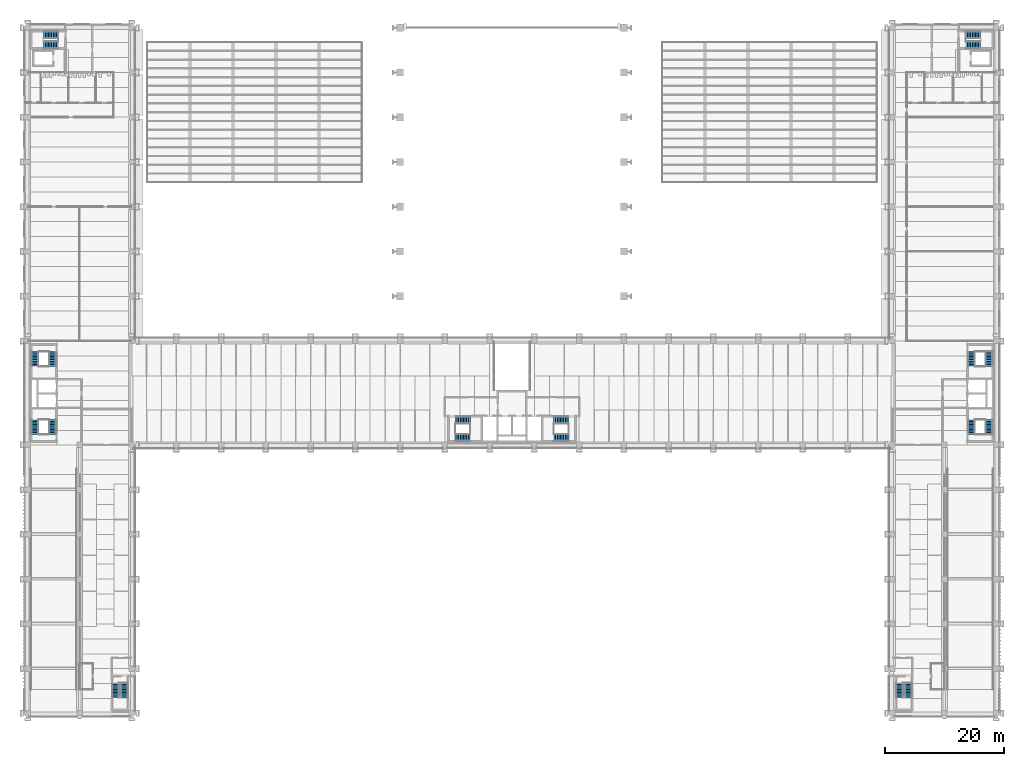
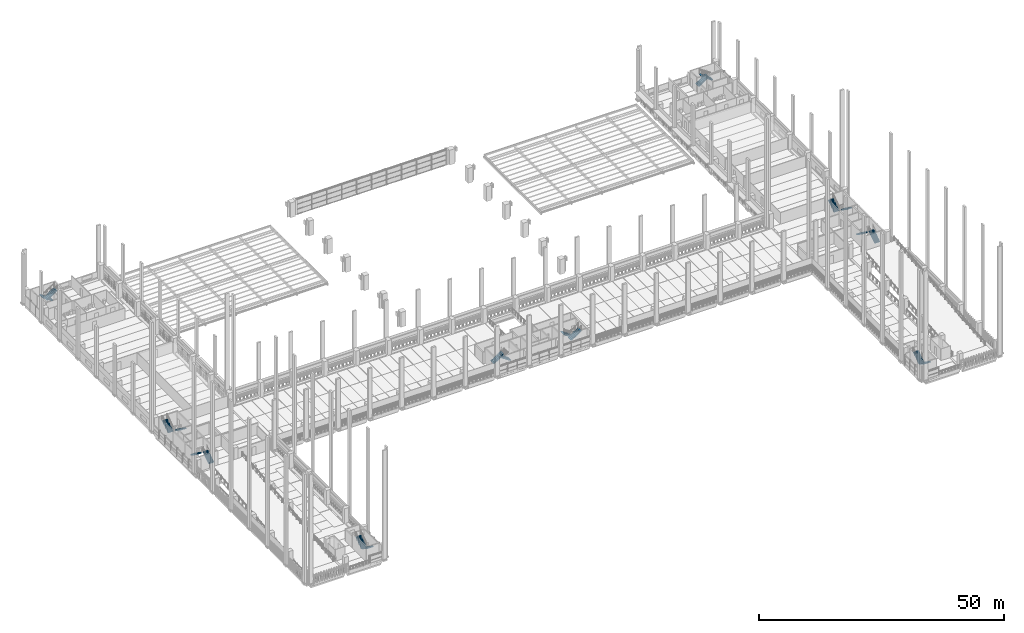
# One storey, part 42 of 67: 20 stair flights, 10 elements without a shape of their own.
"""IFC4 building model written with IfcOpenShell, lengths in metres."""

from ifc_helpers import new_model, si_unit, direction, frame, origin, place, context, subcontext, project, spatial, polyline, outline, extrude, material, type_object, element, aggregate, save


model = new_model("IFC4")

# Units and contexts
model_context = context("Model", 3, precision=1e-05, world=origin(), true_north=direction((0.0, 1.0)))
body_context = subcontext(model_context, "Body", "Model", "MODEL_VIEW")
ifc_project = project(units=[si_unit("LENGTHUNIT", "METRE"), si_unit("AREAUNIT", "SQUARE_METRE"), si_unit("VOLUMEUNIT", "CUBIC_METRE"), si_unit("PLANEANGLEUNIT", "RADIAN"), si_unit("MASSUNIT", "GRAM", prefix="KILO")], contexts=[model_context])

# Site, building, storey
site_placement = place(None, origin())
site = spatial("IfcSite", under=ifc_project, at=site_placement, CompositionType="ELEMENT")
building_placement = place(site_placement, origin())
building = spatial("IfcBuilding", under=site, at=building_placement, Name="Cour d'Honneur Mobility Palace", CompositionType="ELEMENT")
storey_placement = place(building_placement, frame((0.0, 0.0, 4.5)))
storey = spatial("IfcBuildingStorey", under=building, at=storey_placement, Name="L01", CompositionType="ELEMENT", Elevation=4.5)

# Stair, stair flights
ifc_material_1 = material(Name="Concrete C50", Category="concrete")
stair_type = type_object("IfcStairType", Name="Stair 20 risers", PredefinedType="HALF_TURN_STAIR", material=ifc_material_1)
stair_1_placement = place(storey_placement, origin())
stair_1 = element("IfcStair", 1, at=stair_1_placement, inside=storey, type_object=stair_type, Name="Stair ST-CW1", PredefinedType="HALF_TURN_STAIR")
ifc_material_2 = material(Name="Concrete C50", Category="concrete")
stair_flight_type = type_object("IfcStairFlightType", Name="Stair flight 1250", PredefinedType="STRAIGHT", material=ifc_material_2)
stair_flight_1_placement = place(storey_placement, frame((4.175048828125, 46.77490234375, 0.0), z_axis=(0.0, 0.0, 1.0), x_axis=(0.0, 1.0, 0.0)))
stair_flight_1 = element("IfcStairFlight", 2, at=stair_flight_1_placement, type_object=stair_flight_type, Name="ST-CW1 flight 1", NumberOfRisers=10, NumberOfTreads=9, PredefinedType="STRAIGHT", RiserHeight=0.185, TreadLength=0.27, context=body_context, shape_type="SweptSolid", body=[
    extrude(outline(polyline([(0.0, 0.0), (0.0, 0.18505859375), (0.27001953125, 0.18505859375), (0.27001953125, 0.3701171875), (0.5400390625, 0.3701171875), (0.5400390625, 0.554931640625), (0.81005859375, 0.554931640625), (0.81005859375, 0.739990234375), (1.080078125, 0.739990234375), (1.080078125, 0.925048828125), (1.35009765625, 0.925048828125), (1.35009765625, 1.110107421875), (1.6201171875, 1.110107421875), (1.6201171875, 1.294921875), (1.889892578125, 1.294921875), (1.889892578125, 1.47998046875), (2.159912109375, 1.47998046875), (2.159912109375, 1.6650390625), (2.429931640625, 1.6650390625), (2.47998046875, 1.6650390625), (2.47998046875, 1.4833984375), (0.26513671875, 0.0), (0.0, 0.0)])), frame((0.0, 0.625, 0.0), z_axis=(0.0, -1.0, 0.0), x_axis=(1.0, 0.0, 0.0)), (0.0, 0.0, 1.0), 1.25),
])
stair_flight_2_placement = place(storey_placement, frame((1.199951171875, 49.205078125, 1.85009765625), z_axis=(0.0, 0.0, 1.0), x_axis=(0.0, -1.0, 0.0)))
stair_flight_2 = element("IfcStairFlight", 3, at=stair_flight_2_placement, type_object=stair_flight_type, Name="ST-CW1 flight 2", NumberOfRisers=10, NumberOfTreads=9, PredefinedType="STRAIGHT", RiserHeight=0.185, TreadLength=0.27, context=body_context, shape_type="SweptSolid", body=[
    extrude(outline(polyline([(0.0, 0.0), (0.0, 0.18505859375), (0.27001953125, 0.18505859375), (0.27001953125, 0.3701171875), (0.5400390625, 0.3701171875), (0.5400390625, 0.554931640625), (0.81005859375, 0.554931640625), (0.81005859375, 0.739990234375), (1.080078125, 0.739990234375), (1.080078125, 0.925048828125), (1.35009765625, 0.925048828125), (1.35009765625, 1.110107421875), (1.6201171875, 1.110107421875), (1.6201171875, 1.294921875), (1.889892578125, 1.294921875), (1.889892578125, 1.47998046875), (2.159912109375, 1.47998046875), (2.159912109375, 1.6650390625), (2.429931640625, 1.6650390625), (2.47998046875, 1.6650390625), (2.47998046875, 1.4833984375), (0.26513671875, 0.0), (0.0, 0.0)])), frame((0.0, 0.625, 0.0), z_axis=(0.0, -1.0, 0.0), x_axis=(1.0, 0.0, 0.0)), (0.0, 0.0, 1.0), 1.25),
])
aggregate(stair_1, [stair_flight_1, stair_flight_2])

stair_2_placement = place(storey_placement, origin())
stair_2 = element("IfcStair", 4, at=stair_2_placement, inside=storey, type_object=stair_type, Name="Stair ST-CW2", PredefinedType="HALF_TURN_STAIR")
stair_flight_3_placement = place(storey_placement, frame((4.175048828125, 60.625, 0.0), z_axis=(0.0, 0.0, 1.0), x_axis=(0.0, -1.0, 0.0)))
stair_flight_3 = element("IfcStairFlight", 5, at=stair_flight_3_placement, type_object=stair_flight_type, Name="ST-CW2 flight 1", NumberOfRisers=10, NumberOfTreads=9, PredefinedType="STRAIGHT", RiserHeight=0.185, TreadLength=0.27, context=body_context, shape_type="SweptSolid", body=[
    extrude(outline(polyline([(0.0, 0.0), (0.0, 0.18505859375), (0.27001953125, 0.18505859375), (0.27001953125, 0.3701171875), (0.5400390625, 0.3701171875), (0.5400390625, 0.554931640625), (0.81005859375, 0.554931640625), (0.81005859375, 0.739990234375), (1.080078125, 0.739990234375), (1.080078125, 0.925048828125), (1.35009765625, 0.925048828125), (1.35009765625, 1.110107421875), (1.6201171875, 1.110107421875), (1.6201171875, 1.294921875), (1.889892578125, 1.294921875), (1.889892578125, 1.47998046875), (2.159912109375, 1.47998046875), (2.159912109375, 1.6650390625), (2.429931640625, 1.6650390625), (2.47998046875, 1.6650390625), (2.47998046875, 1.4833984375), (0.26513671875, 0.0), (0.0, 0.0)])), frame((0.0, 0.625, 0.0), z_axis=(0.0, -1.0, 0.0), x_axis=(1.0, 0.0, 0.0)), (0.0, 0.0, 1.0), 1.25),
])
stair_flight_4_placement = place(storey_placement, frame((1.199951171875, 58.195068359375, 1.85009765625), z_axis=(0.0, 0.0, 1.0), x_axis=(0.0, 1.0, 0.0)))
stair_flight_4 = element("IfcStairFlight", 6, at=stair_flight_4_placement, type_object=stair_flight_type, Name="ST-CW2 flight 2", NumberOfRisers=10, NumberOfTreads=9, PredefinedType="STRAIGHT", RiserHeight=0.185, TreadLength=0.27, context=body_context, shape_type="SweptSolid", body=[
    extrude(outline(polyline([(0.0, 0.0), (0.0, 0.18505859375), (0.27001953125, 0.18505859375), (0.27001953125, 0.3701171875), (0.5400390625, 0.3701171875), (0.5400390625, 0.554931640625), (0.81005859375, 0.554931640625), (0.81005859375, 0.739990234375), (1.080078125, 0.739990234375), (1.080078125, 0.925048828125), (1.35009765625, 0.925048828125), (1.35009765625, 1.110107421875), (1.6201171875, 1.110107421875), (1.6201171875, 1.294921875), (1.889892578125, 1.294921875), (1.889892578125, 1.47998046875), (2.159912109375, 1.47998046875), (2.159912109375, 1.6650390625), (2.429931640625, 1.6650390625), (2.47998046875, 1.6650390625), (2.47998046875, 1.4833984375), (0.26513671875, 0.0), (0.0, 0.0)])), frame((0.0, 0.625, 0.0), z_axis=(0.0, -1.0, 0.0), x_axis=(1.0, 0.0, 0.0)), (0.0, 0.0, 1.0), 1.25),
])
aggregate(stair_2, [stair_flight_3, stair_flight_4])

stair_3_placement = place(storey_placement, origin())
stair_3 = element("IfcStair", 7, at=stair_3_placement, inside=storey, type_object=stair_type, Name="Stair ST-CE1", PredefinedType="HALF_TURN_STAIR")
stair_flight_5_placement = place(storey_placement, frame((161.10009765625, 46.77490234375, 0.0), z_axis=(0.0, 0.0, 1.0), x_axis=(0.0, 1.0, 0.0)))
stair_flight_5 = element("IfcStairFlight", 8, at=stair_flight_5_placement, type_object=stair_flight_type, Name="ST-CE1 flight 1", NumberOfRisers=10, NumberOfTreads=9, PredefinedType="STRAIGHT", RiserHeight=0.185, TreadLength=0.27, context=body_context, shape_type="SweptSolid", body=[
    extrude(outline(polyline([(0.0, 0.0), (0.0, 0.18505859375), (0.27001953125, 0.18505859375), (0.27001953125, 0.3701171875), (0.5400390625, 0.3701171875), (0.5400390625, 0.554931640625), (0.81005859375, 0.554931640625), (0.81005859375, 0.739990234375), (1.080078125, 0.739990234375), (1.080078125, 0.925048828125), (1.35009765625, 0.925048828125), (1.35009765625, 1.110107421875), (1.6201171875, 1.110107421875), (1.6201171875, 1.294921875), (1.889892578125, 1.294921875), (1.889892578125, 1.47998046875), (2.159912109375, 1.47998046875), (2.159912109375, 1.6650390625), (2.429931640625, 1.6650390625), (2.47998046875, 1.6650390625), (2.47998046875, 1.4833984375), (0.26513671875, 0.0), (0.0, 0.0)])), frame((0.0, 0.625, 0.0), z_axis=(0.0, -1.0, 0.0), x_axis=(1.0, 0.0, 0.0)), (0.0, 0.0, 1.0), 1.25),
])
stair_flight_6_placement = place(storey_placement, frame((158.125, 49.205078125, 1.85009765625), z_axis=(0.0, 0.0, 1.0), x_axis=(0.0, -1.0, 0.0)))
stair_flight_6 = element("IfcStairFlight", 9, at=stair_flight_6_placement, type_object=stair_flight_type, Name="ST-CE1 flight 2", NumberOfRisers=10, NumberOfTreads=9, PredefinedType="STRAIGHT", RiserHeight=0.185, TreadLength=0.27, context=body_context, shape_type="SweptSolid", body=[
    extrude(outline(polyline([(0.0, 0.0), (0.0, 0.18505859375), (0.27001953125, 0.18505859375), (0.27001953125, 0.3701171875), (0.5400390625, 0.3701171875), (0.5400390625, 0.554931640625), (0.81005859375, 0.554931640625), (0.81005859375, 0.739990234375), (1.080078125, 0.739990234375), (1.080078125, 0.925048828125), (1.35009765625, 0.925048828125), (1.35009765625, 1.110107421875), (1.6201171875, 1.110107421875), (1.6201171875, 1.294921875), (1.889892578125, 1.294921875), (1.889892578125, 1.47998046875), (2.159912109375, 1.47998046875), (2.159912109375, 1.6650390625), (2.429931640625, 1.6650390625), (2.47998046875, 1.6650390625), (2.47998046875, 1.4833984375), (0.26513671875, 0.0), (0.0, 0.0)])), frame((0.0, 0.625, 0.0), z_axis=(0.0, -1.0, 0.0), x_axis=(1.0, 0.0, 0.0)), (0.0, 0.0, 1.0), 1.25),
])
aggregate(stair_3, [stair_flight_5, stair_flight_6])

stair_4_placement = place(storey_placement, origin())
stair_4 = element("IfcStair", 10, at=stair_4_placement, inside=storey, type_object=stair_type, Name="Stair ST-CE2", PredefinedType="HALF_TURN_STAIR")
stair_flight_7_placement = place(storey_placement, frame((161.10009765625, 60.625, 0.0), z_axis=(0.0, 0.0, 1.0), x_axis=(0.0, -1.0, 0.0)))
stair_flight_7 = element("IfcStairFlight", 11, at=stair_flight_7_placement, type_object=stair_flight_type, Name="ST-CE2 flight 1", NumberOfRisers=10, NumberOfTreads=9, PredefinedType="STRAIGHT", RiserHeight=0.185, TreadLength=0.27, context=body_context, shape_type="SweptSolid", body=[
    extrude(outline(polyline([(0.0, 0.0), (0.0, 0.18505859375), (0.27001953125, 0.18505859375), (0.27001953125, 0.3701171875), (0.5400390625, 0.3701171875), (0.5400390625, 0.554931640625), (0.81005859375, 0.554931640625), (0.81005859375, 0.739990234375), (1.080078125, 0.739990234375), (1.080078125, 0.925048828125), (1.35009765625, 0.925048828125), (1.35009765625, 1.110107421875), (1.6201171875, 1.110107421875), (1.6201171875, 1.294921875), (1.889892578125, 1.294921875), (1.889892578125, 1.47998046875), (2.159912109375, 1.47998046875), (2.159912109375, 1.6650390625), (2.429931640625, 1.6650390625), (2.47998046875, 1.6650390625), (2.47998046875, 1.4833984375), (0.26513671875, 0.0), (0.0, 0.0)])), frame((0.0, 0.625, 0.0), z_axis=(0.0, -1.0, 0.0), x_axis=(1.0, 0.0, 0.0)), (0.0, 0.0, 1.0), 1.25),
])
stair_flight_8_placement = place(storey_placement, frame((158.125, 58.195068359375, 1.85009765625), z_axis=(0.0, 0.0, 1.0), x_axis=(0.0, 1.0, 0.0)))
stair_flight_8 = element("IfcStairFlight", 12, at=stair_flight_8_placement, type_object=stair_flight_type, Name="ST-CE2 flight 2", NumberOfRisers=10, NumberOfTreads=9, PredefinedType="STRAIGHT", RiserHeight=0.185, TreadLength=0.27, context=body_context, shape_type="SweptSolid", body=[
    extrude(outline(polyline([(0.0, 0.0), (0.0, 0.18505859375), (0.27001953125, 0.18505859375), (0.27001953125, 0.3701171875), (0.5400390625, 0.3701171875), (0.5400390625, 0.554931640625), (0.81005859375, 0.554931640625), (0.81005859375, 0.739990234375), (1.080078125, 0.739990234375), (1.080078125, 0.925048828125), (1.35009765625, 0.925048828125), (1.35009765625, 1.110107421875), (1.6201171875, 1.110107421875), (1.6201171875, 1.294921875), (1.889892578125, 1.294921875), (1.889892578125, 1.47998046875), (2.159912109375, 1.47998046875), (2.159912109375, 1.6650390625), (2.429931640625, 1.6650390625), (2.47998046875, 1.6650390625), (2.47998046875, 1.4833984375), (0.26513671875, 0.0), (0.0, 0.0)])), frame((0.0, 0.625, 0.0), z_axis=(0.0, -1.0, 0.0), x_axis=(1.0, 0.0, 0.0)), (0.0, 0.0, 1.0), 1.25),
])
aggregate(stair_4, [stair_flight_7, stair_flight_8])

stair_5_placement = place(storey_placement, origin())
stair_5 = element("IfcStair", 13, at=stair_5_placement, inside=storey, type_object=stair_type, Name="Stair ST-CC1", PredefinedType="HALF_TURN_STAIR")
stair_flight_9_placement = place(storey_placement, frame((71.675048828125, 49.175048828125, 0.0), z_axis=(0.0, 0.0, 1.0), x_axis=(1.0, 0.0, 0.0)))
stair_flight_9 = element("IfcStairFlight", 14, at=stair_flight_9_placement, type_object=stair_flight_type, Name="ST-CC1 flight 1", NumberOfRisers=10, NumberOfTreads=9, PredefinedType="STRAIGHT", RiserHeight=0.185, TreadLength=0.27, context=body_context, shape_type="SweptSolid", body=[
    extrude(outline(polyline([(0.0, 0.0), (0.0, 0.18505859375), (0.27001953125, 0.18505859375), (0.27001953125, 0.3701171875), (0.5400390625, 0.3701171875), (0.5400390625, 0.554931640625), (0.81005859375, 0.554931640625), (0.81005859375, 0.739990234375), (1.080078125, 0.739990234375), (1.080078125, 0.925048828125), (1.35009765625, 0.925048828125), (1.35009765625, 1.110107421875), (1.6201171875, 1.110107421875), (1.6201171875, 1.294921875), (1.889892578125, 1.294921875), (1.889892578125, 1.47998046875), (2.159912109375, 1.47998046875), (2.159912109375, 1.6650390625), (2.429931640625, 1.6650390625), (2.47998046875, 1.6650390625), (2.47998046875, 1.4833984375), (0.26513671875, 0.0), (0.0, 0.0)])), frame((0.0, 0.625, 0.0), z_axis=(0.0, -1.0, 0.0), x_axis=(1.0, 0.0, 0.0)), (0.0, 0.0, 1.0), 1.25),
])
stair_flight_10_placement = place(storey_placement, frame((74.10498046875, 46.199951171875, 1.85009765625), z_axis=(0.0, 0.0, 1.0), x_axis=(-1.0, 0.0, 0.0)))
stair_flight_10 = element("IfcStairFlight", 15, at=stair_flight_10_placement, type_object=stair_flight_type, Name="ST-CC1 flight 2", NumberOfRisers=10, NumberOfTreads=9, PredefinedType="STRAIGHT", RiserHeight=0.185, TreadLength=0.27, context=body_context, shape_type="SweptSolid", body=[
    extrude(outline(polyline([(0.0, 0.0), (0.0, 0.18505859375), (0.27001953125, 0.18505859375), (0.27001953125, 0.3701171875), (0.5400390625, 0.3701171875), (0.5400390625, 0.554931640625), (0.81005859375, 0.554931640625), (0.81005859375, 0.739990234375), (1.080078125, 0.739990234375), (1.080078125, 0.925048828125), (1.35009765625, 0.925048828125), (1.35009765625, 1.110107421875), (1.6201171875, 1.110107421875), (1.6201171875, 1.294921875), (1.889892578125, 1.294921875), (1.889892578125, 1.47998046875), (2.159912109375, 1.47998046875), (2.159912109375, 1.6650390625), (2.429931640625, 1.6650390625), (2.47998046875, 1.6650390625), (2.47998046875, 1.4833984375), (0.26513671875, 0.0), (0.0, 0.0)])), frame((0.0, 0.625, 0.0), z_axis=(0.0, -1.0, 0.0), x_axis=(1.0, 0.0, 0.0)), (0.0, 0.0, 1.0), 1.25),
])
aggregate(stair_5, [stair_flight_9, stair_flight_10])

stair_6_placement = place(storey_placement, origin())
stair_6 = element("IfcStair", 16, at=stair_6_placement, inside=storey, type_object=stair_type, Name="Stair ST-CC2", PredefinedType="HALF_TURN_STAIR")
stair_flight_11_placement = place(storey_placement, frame((90.625, 49.175048828125, 0.0), z_axis=(0.0, 0.0, 1.0), x_axis=(-1.0, 0.0, 0.0)))
stair_flight_11 = element("IfcStairFlight", 17, at=stair_flight_11_placement, type_object=stair_flight_type, Name="ST-CC2 flight 1", NumberOfRisers=10, NumberOfTreads=9, PredefinedType="STRAIGHT", RiserHeight=0.185, TreadLength=0.27, context=body_context, shape_type="SweptSolid", body=[
    extrude(outline(polyline([(0.0, 0.0), (0.0, 0.18505859375), (0.27001953125, 0.18505859375), (0.27001953125, 0.3701171875), (0.5400390625, 0.3701171875), (0.5400390625, 0.554931640625), (0.81005859375, 0.554931640625), (0.81005859375, 0.739990234375), (1.080078125, 0.739990234375), (1.080078125, 0.925048828125), (1.35009765625, 0.925048828125), (1.35009765625, 1.110107421875), (1.6201171875, 1.110107421875), (1.6201171875, 1.294921875), (1.889892578125, 1.294921875), (1.889892578125, 1.47998046875), (2.159912109375, 1.47998046875), (2.159912109375, 1.6650390625), (2.429931640625, 1.6650390625), (2.47998046875, 1.6650390625), (2.47998046875, 1.4833984375), (0.26513671875, 0.0), (0.0, 0.0)])), frame((0.0, 0.625, 0.0), z_axis=(0.0, -1.0, 0.0), x_axis=(1.0, 0.0, 0.0)), (0.0, 0.0, 1.0), 1.25),
])
stair_flight_12_placement = place(storey_placement, frame((88.195068359375, 46.199951171875, 1.85009765625), z_axis=(0.0, 0.0, 1.0), x_axis=(1.0, 0.0, 0.0)))
stair_flight_12 = element("IfcStairFlight", 18, at=stair_flight_12_placement, type_object=stair_flight_type, Name="ST-CC2 flight 2", NumberOfRisers=10, NumberOfTreads=9, PredefinedType="STRAIGHT", RiserHeight=0.185, TreadLength=0.27, context=body_context, shape_type="SweptSolid", body=[
    extrude(outline(polyline([(0.0, 0.0), (0.0, 0.18505859375), (0.27001953125, 0.18505859375), (0.27001953125, 0.3701171875), (0.5400390625, 0.3701171875), (0.5400390625, 0.554931640625), (0.81005859375, 0.554931640625), (0.81005859375, 0.739990234375), (1.080078125, 0.739990234375), (1.080078125, 0.925048828125), (1.35009765625, 0.925048828125), (1.35009765625, 1.110107421875), (1.6201171875, 1.110107421875), (1.6201171875, 1.294921875), (1.889892578125, 1.294921875), (1.889892578125, 1.47998046875), (2.159912109375, 1.47998046875), (2.159912109375, 1.6650390625), (2.429931640625, 1.6650390625), (2.47998046875, 1.6650390625), (2.47998046875, 1.4833984375), (0.26513671875, 0.0), (0.0, 0.0)])), frame((0.0, 0.625, 0.0), z_axis=(0.0, -1.0, 0.0), x_axis=(1.0, 0.0, 0.0)), (0.0, 0.0, 1.0), 1.25),
])
aggregate(stair_6, [stair_flight_11, stair_flight_12])

stair_7_placement = place(storey_placement, origin())
stair_7 = element("IfcStair", 19, at=stair_7_placement, inside=storey, type_object=stair_type, Name="Stair ST-NW1", PredefinedType="HALF_TURN_STAIR")
stair_flight_13_placement = place(storey_placement, frame((5.10009765625, 113.699951171875, 0.0), z_axis=(0.0, 0.0, 1.0), x_axis=(-1.0, 0.0, 0.0)))
stair_flight_13 = element("IfcStairFlight", 20, at=stair_flight_13_placement, type_object=stair_flight_type, Name="ST-NW1 flight 1", NumberOfRisers=10, NumberOfTreads=9, PredefinedType="STRAIGHT", RiserHeight=0.185, TreadLength=0.27, context=body_context, shape_type="SweptSolid", body=[
    extrude(outline(polyline([(0.0, 0.0), (0.0, 0.18505859375), (0.27001953125, 0.18505859375), (0.27001953125, 0.3701171875), (0.5400390625, 0.3701171875), (0.5400390625, 0.554931640625), (0.81005859375, 0.554931640625), (0.81005859375, 0.739990234375), (1.080078125, 0.739990234375), (1.080078125, 0.925048828125), (1.35009765625, 0.925048828125), (1.35009765625, 1.110107421875), (1.6201171875, 1.110107421875), (1.6201171875, 1.294921875), (1.889892578125, 1.294921875), (1.889892578125, 1.47998046875), (2.159912109375, 1.47998046875), (2.159912109375, 1.6650390625), (2.429931640625, 1.6650390625), (2.47998046875, 1.6650390625), (2.47998046875, 1.4833984375), (0.26513671875, 0.0), (0.0, 0.0)])), frame((0.0, 0.625, 0.0), z_axis=(0.0, -1.0, 0.0), x_axis=(1.0, 0.0, 0.0)), (0.0, 0.0, 1.0), 1.25),
])
stair_flight_14_placement = place(storey_placement, frame((2.669921875, 112.02490234375, 1.85009765625), z_axis=(0.0, 0.0, 1.0), x_axis=(1.0, 0.0, 0.0)))
stair_flight_14 = element("IfcStairFlight", 21, at=stair_flight_14_placement, type_object=stair_flight_type, Name="ST-NW1 flight 2", NumberOfRisers=10, NumberOfTreads=9, PredefinedType="STRAIGHT", RiserHeight=0.185, TreadLength=0.27, context=body_context, shape_type="SweptSolid", body=[
    extrude(outline(polyline([(0.0, 0.0), (0.0, 0.18505859375), (0.27001953125, 0.18505859375), (0.27001953125, 0.3701171875), (0.5400390625, 0.3701171875), (0.5400390625, 0.554931640625), (0.81005859375, 0.554931640625), (0.81005859375, 0.739990234375), (1.080078125, 0.739990234375), (1.080078125, 0.925048828125), (1.35009765625, 0.925048828125), (1.35009765625, 1.110107421875), (1.6201171875, 1.110107421875), (1.6201171875, 1.294921875), (1.889892578125, 1.294921875), (1.889892578125, 1.47998046875), (2.159912109375, 1.47998046875), (2.159912109375, 1.6650390625), (2.429931640625, 1.6650390625), (2.47998046875, 1.6650390625), (2.47998046875, 1.4833984375), (0.26513671875, 0.0), (0.0, 0.0)])), frame((0.0, 0.625, 0.0), z_axis=(0.0, -1.0, 0.0), x_axis=(1.0, 0.0, 0.0)), (0.0, 0.0, 1.0), 1.25),
])
aggregate(stair_7, [stair_flight_13, stair_flight_14])

stair_8_placement = place(storey_placement, origin())
stair_8 = element("IfcStair", 22, at=stair_8_placement, inside=storey, type_object=stair_type, Name="Stair ST-NE1", PredefinedType="HALF_TURN_STAIR")
stair_flight_15_placement = place(storey_placement, frame((157.199951171875, 113.699951171875, 0.0), z_axis=(0.0, 0.0, 1.0), x_axis=(1.0, 0.0, 0.0)))
stair_flight_15 = element("IfcStairFlight", 23, at=stair_flight_15_placement, type_object=stair_flight_type, Name="ST-NE1 flight 1", NumberOfRisers=10, NumberOfTreads=9, PredefinedType="STRAIGHT", RiserHeight=0.185, TreadLength=0.27, context=body_context, shape_type="SweptSolid", body=[
    extrude(outline(polyline([(0.0, 0.0), (0.0, 0.18505859375), (0.27001953125, 0.18505859375), (0.27001953125, 0.3701171875), (0.5400390625, 0.3701171875), (0.5400390625, 0.554931640625), (0.81005859375, 0.554931640625), (0.81005859375, 0.739990234375), (1.080078125, 0.739990234375), (1.080078125, 0.925048828125), (1.35009765625, 0.925048828125), (1.35009765625, 1.110107421875), (1.6201171875, 1.110107421875), (1.6201171875, 1.294921875), (1.889892578125, 1.294921875), (1.889892578125, 1.47998046875), (2.159912109375, 1.47998046875), (2.159912109375, 1.6650390625), (2.429931640625, 1.6650390625), (2.47998046875, 1.6650390625), (2.47998046875, 1.4833984375), (0.26513671875, 0.0), (0.0, 0.0)])), frame((0.0, 0.625, 0.0), z_axis=(0.0, -1.0, 0.0), x_axis=(1.0, 0.0, 0.0)), (0.0, 0.0, 1.0), 1.25),
])
stair_flight_16_placement = place(storey_placement, frame((159.6298828125, 112.02490234375, 1.85009765625), z_axis=(0.0, 0.0, 1.0), x_axis=(-1.0, 0.0, 0.0)))
stair_flight_16 = element("IfcStairFlight", 24, at=stair_flight_16_placement, type_object=stair_flight_type, Name="ST-NE1 flight 2", NumberOfRisers=10, NumberOfTreads=9, PredefinedType="STRAIGHT", RiserHeight=0.185, TreadLength=0.27, context=body_context, shape_type="SweptSolid", body=[
    extrude(outline(polyline([(0.0, 0.0), (0.0, 0.18505859375), (0.27001953125, 0.18505859375), (0.27001953125, 0.3701171875), (0.5400390625, 0.3701171875), (0.5400390625, 0.554931640625), (0.81005859375, 0.554931640625), (0.81005859375, 0.739990234375), (1.080078125, 0.739990234375), (1.080078125, 0.925048828125), (1.35009765625, 0.925048828125), (1.35009765625, 1.110107421875), (1.6201171875, 1.110107421875), (1.6201171875, 1.294921875), (1.889892578125, 1.294921875), (1.889892578125, 1.47998046875), (2.159912109375, 1.47998046875), (2.159912109375, 1.6650390625), (2.429931640625, 1.6650390625), (2.47998046875, 1.6650390625), (2.47998046875, 1.4833984375), (0.26513671875, 0.0), (0.0, 0.0)])), frame((0.0, 0.625, 0.0), z_axis=(0.0, -1.0, 0.0), x_axis=(1.0, 0.0, 0.0)), (0.0, 0.0, 1.0), 1.25),
])
aggregate(stair_8, [stair_flight_15, stair_flight_16])

stair_9_placement = place(storey_placement, origin())
stair_9 = element("IfcStair", 25, at=stair_9_placement, inside=storey, type_object=stair_type, Name="Stair ST-RW1", PredefinedType="HALF_TURN_STAIR")
stair_flight_17_placement = place(storey_placement, frame((16.199951171875, 5.10009765625, 0.0), z_axis=(0.0, 0.0, 1.0), x_axis=(0.0, -1.0, 0.0)))
stair_flight_17 = element("IfcStairFlight", 26, at=stair_flight_17_placement, type_object=stair_flight_type, Name="ST-RW1 flight 1", NumberOfRisers=10, NumberOfTreads=9, PredefinedType="STRAIGHT", RiserHeight=0.185, TreadLength=0.27, context=body_context, shape_type="SweptSolid", body=[
    extrude(outline(polyline([(0.0, 0.0), (0.0, 0.18505859375), (0.27001953125, 0.18505859375), (0.27001953125, 0.3701171875), (0.5400390625, 0.3701171875), (0.5400390625, 0.554931640625), (0.81005859375, 0.554931640625), (0.81005859375, 0.739990234375), (1.080078125, 0.739990234375), (1.080078125, 0.925048828125), (1.35009765625, 0.925048828125), (1.35009765625, 1.110107421875), (1.6201171875, 1.110107421875), (1.6201171875, 1.294921875), (1.889892578125, 1.294921875), (1.889892578125, 1.47998046875), (2.159912109375, 1.47998046875), (2.159912109375, 1.6650390625), (2.429931640625, 1.6650390625), (2.47998046875, 1.6650390625), (2.47998046875, 1.4833984375), (0.26513671875, 0.0), (0.0, 0.0)])), frame((0.0, 0.625, 0.0), z_axis=(0.0, -1.0, 0.0), x_axis=(1.0, 0.0, 0.0)), (0.0, 0.0, 1.0), 1.25),
])
stair_flight_18_placement = place(storey_placement, frame((14.72509765625, 2.669921875, 1.85009765625), z_axis=(0.0, 0.0, 1.0), x_axis=(0.0, 1.0, 0.0)))
stair_flight_18 = element("IfcStairFlight", 27, at=stair_flight_18_placement, type_object=stair_flight_type, Name="ST-RW1 flight 2", NumberOfRisers=10, NumberOfTreads=9, PredefinedType="STRAIGHT", RiserHeight=0.185, TreadLength=0.27, context=body_context, shape_type="SweptSolid", body=[
    extrude(outline(polyline([(0.0, 0.0), (0.0, 0.18505859375), (0.27001953125, 0.18505859375), (0.27001953125, 0.3701171875), (0.5400390625, 0.3701171875), (0.5400390625, 0.554931640625), (0.81005859375, 0.554931640625), (0.81005859375, 0.739990234375), (1.080078125, 0.739990234375), (1.080078125, 0.925048828125), (1.35009765625, 0.925048828125), (1.35009765625, 1.110107421875), (1.6201171875, 1.110107421875), (1.6201171875, 1.294921875), (1.889892578125, 1.294921875), (1.889892578125, 1.47998046875), (2.159912109375, 1.47998046875), (2.159912109375, 1.6650390625), (2.429931640625, 1.6650390625), (2.47998046875, 1.6650390625), (2.47998046875, 1.4833984375), (0.26513671875, 0.0), (0.0, 0.0)])), frame((0.0, 0.625, 0.0), z_axis=(0.0, -1.0, 0.0), x_axis=(1.0, 0.0, 0.0)), (0.0, 0.0, 1.0), 1.25),
])
aggregate(stair_9, [stair_flight_17, stair_flight_18])

stair_10_placement = place(storey_placement, origin())
stair_10 = element("IfcStair", 28, at=stair_10_placement, inside=storey, type_object=stair_type, Name="Stair ST-RE1", PredefinedType="HALF_TURN_STAIR")
stair_flight_19_placement = place(storey_placement, frame((147.574951171875, 5.10009765625, 0.0), z_axis=(0.0, 0.0, 1.0), x_axis=(0.0, -1.0, 0.0)))
stair_flight_19 = element("IfcStairFlight", 29, at=stair_flight_19_placement, type_object=stair_flight_type, Name="ST-RE1 flight 1", NumberOfRisers=10, NumberOfTreads=9, PredefinedType="STRAIGHT", RiserHeight=0.185, TreadLength=0.27, context=body_context, shape_type="SweptSolid", body=[
    extrude(outline(polyline([(0.0, 0.0), (0.0, 0.18505859375), (0.27001953125, 0.18505859375), (0.27001953125, 0.3701171875), (0.5400390625, 0.3701171875), (0.5400390625, 0.554931640625), (0.81005859375, 0.554931640625), (0.81005859375, 0.739990234375), (1.080078125, 0.739990234375), (1.080078125, 0.925048828125), (1.35009765625, 0.925048828125), (1.35009765625, 1.110107421875), (1.6201171875, 1.110107421875), (1.6201171875, 1.294921875), (1.889892578125, 1.294921875), (1.889892578125, 1.47998046875), (2.159912109375, 1.47998046875), (2.159912109375, 1.6650390625), (2.429931640625, 1.6650390625), (2.47998046875, 1.6650390625), (2.47998046875, 1.4833984375), (0.26513671875, 0.0), (0.0, 0.0)])), frame((0.0, 0.625, 0.0), z_axis=(0.0, -1.0, 0.0), x_axis=(1.0, 0.0, 0.0)), (0.0, 0.0, 1.0), 1.25),
])
stair_flight_20_placement = place(storey_placement, frame((146.10009765625, 2.669921875, 1.85009765625), z_axis=(0.0, 0.0, 1.0), x_axis=(0.0, 1.0, 0.0)))
stair_flight_20 = element("IfcStairFlight", 30, at=stair_flight_20_placement, type_object=stair_flight_type, Name="ST-RE1 flight 2", NumberOfRisers=10, NumberOfTreads=9, PredefinedType="STRAIGHT", RiserHeight=0.185, TreadLength=0.27, context=body_context, shape_type="SweptSolid", body=[
    extrude(outline(polyline([(0.0, 0.0), (0.0, 0.18505859375), (0.27001953125, 0.18505859375), (0.27001953125, 0.3701171875), (0.5400390625, 0.3701171875), (0.5400390625, 0.554931640625), (0.81005859375, 0.554931640625), (0.81005859375, 0.739990234375), (1.080078125, 0.739990234375), (1.080078125, 0.925048828125), (1.35009765625, 0.925048828125), (1.35009765625, 1.110107421875), (1.6201171875, 1.110107421875), (1.6201171875, 1.294921875), (1.889892578125, 1.294921875), (1.889892578125, 1.47998046875), (2.159912109375, 1.47998046875), (2.159912109375, 1.6650390625), (2.429931640625, 1.6650390625), (2.47998046875, 1.6650390625), (2.47998046875, 1.4833984375), (0.26513671875, 0.0), (0.0, 0.0)])), frame((0.0, 0.625, 0.0), z_axis=(0.0, -1.0, 0.0), x_axis=(1.0, 0.0, 0.0)), (0.0, 0.0, 1.0), 1.25),
])
aggregate(stair_10, [stair_flight_19, stair_flight_20])

save(model, "model.ifc")
